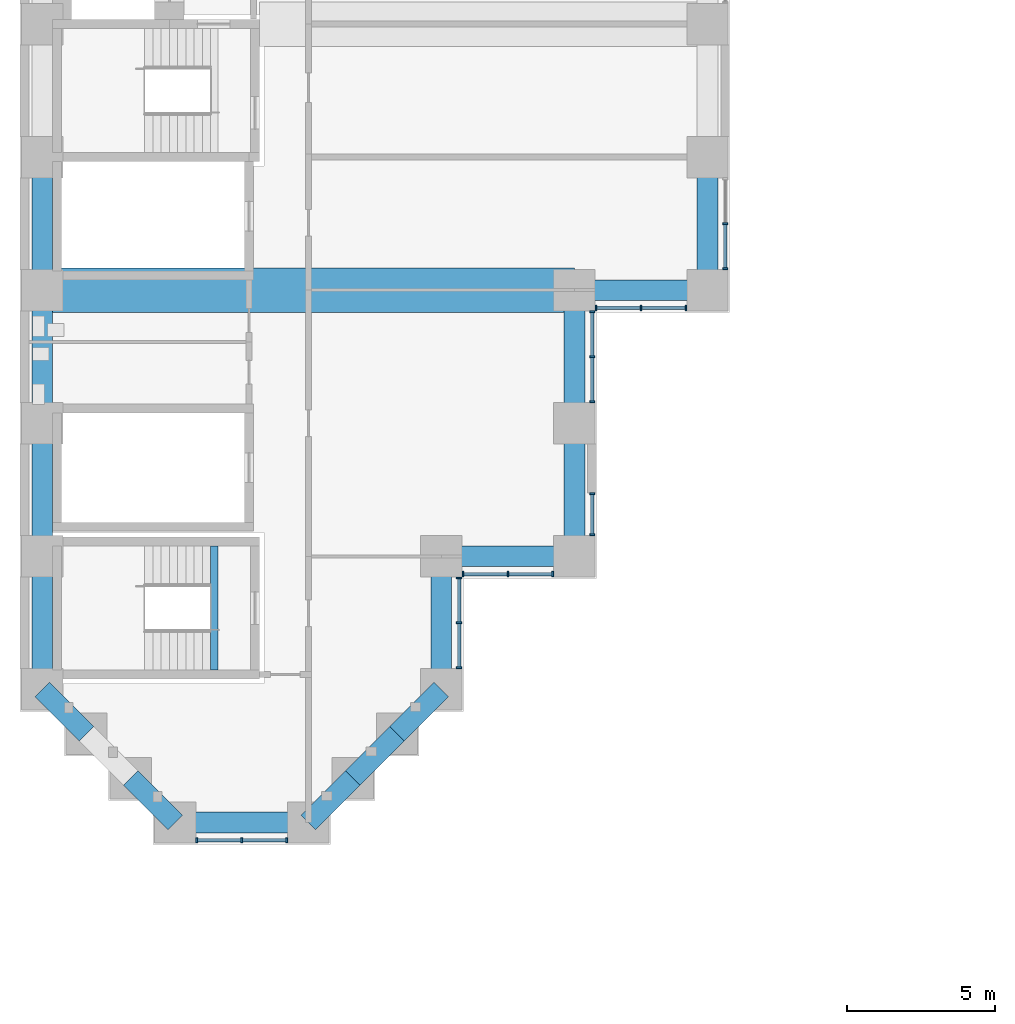
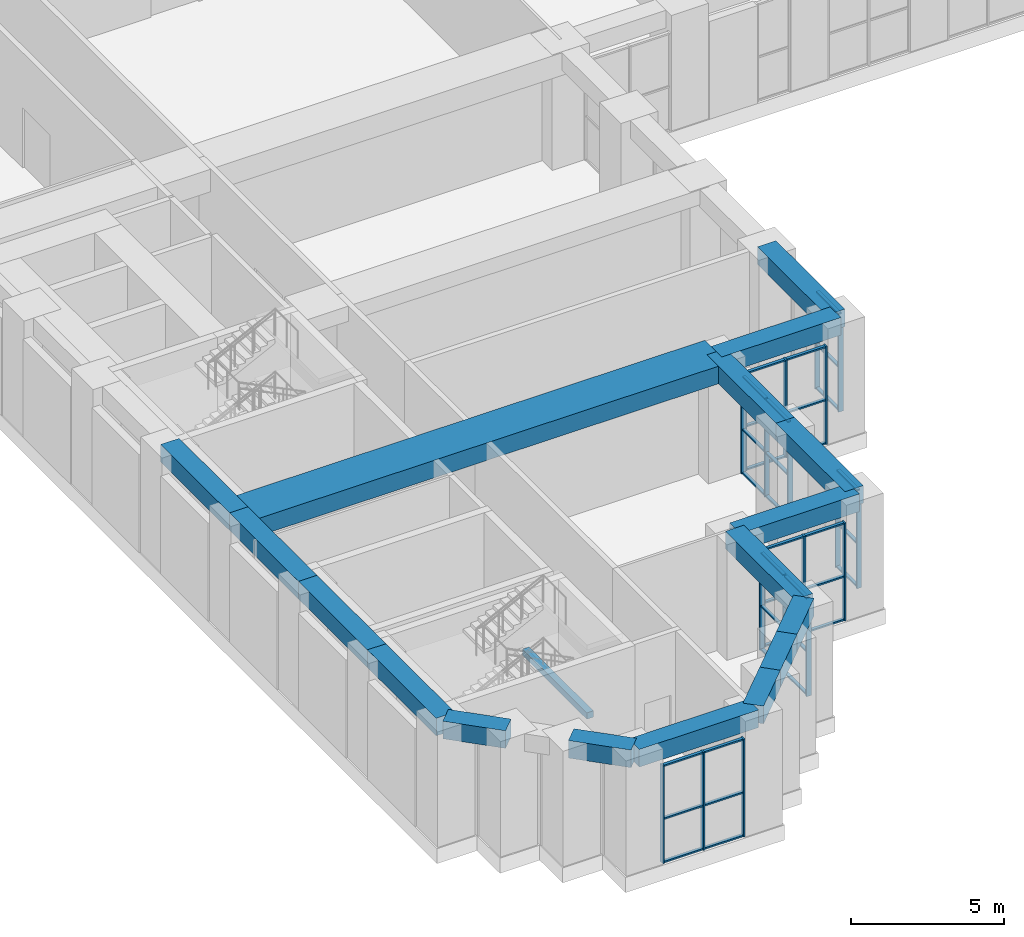
# One storey, part 2 of 30: 55 members, 18 beams, 7 elements without a shape of their own.
"""IFC4 building model written with IfcOpenShell, lengths in metres."""

from ifc_helpers import new_model, si_unit, direction, frame, origin, origin_2d, place, context, subcontext, project, spatial, rectangle, extrude, material, material_profile, profile_set, type_object, element, aggregate, save


model = new_model("IFC4")

# Units and contexts
model_context = context("Model", 3, precision=1e-05, world=origin(), true_north=direction((0.0, 1.0)))
body_context = subcontext(model_context, "Body", "Model", "MODEL_VIEW")
ifc_project = project(units=[si_unit("LENGTHUNIT", "METRE"), si_unit("AREAUNIT", "SQUARE_METRE"), si_unit("VOLUMEUNIT", "CUBIC_METRE"), si_unit("PLANEANGLEUNIT", "RADIAN"), si_unit("MASSUNIT", "GRAM", prefix="KILO")], contexts=[model_context])

# Site, building, storey
site_placement = place(None, origin())
site = spatial("IfcSite", under=ifc_project, at=site_placement, CompositionType="ELEMENT")
building_placement = place(site_placement, origin())
building = spatial("IfcBuilding", under=site, at=building_placement, Name="Firuza Court", CompositionType="ELEMENT")
storey_placement = place(building_placement, frame((0.0, 0.0, 9.0)))
storey = spatial("IfcBuildingStorey", under=building, at=storey_placement, Name="L01", CompositionType="ELEMENT", Elevation=9.0)

# Beams
ifc_material_1 = material(Name="Concrete C40/50", Category="concrete")
ifc_material_profile_1 = material_profile(ifc_material_1, rectangle(XDim=1.5, YDim=0.699951171875, at=origin_2d()), Name="RC 1500x700")
ifc_profile_set_1 = profile_set([ifc_material_profile_1], Name="Concrete C40/50")
beam_type_1 = type_object("IfcBeamType", Name="Band beam RC 1500x700 C40/50", PredefinedType="BEAM", material=ifc_profile_set_1)
beam_1_placement = place(storey_placement, frame((0.0, 18.0, 4.25), z_axis=(1.0, 0.0, 0.0), x_axis=(0.0, 1.0, 0.0)))
element("IfcBeam", 1, at=beam_1_placement, inside=storey, type_object=beam_type_1, Name="Band beam FB1 level L02", PredefinedType="BEAM", context=body_context, shape_type="SweptSolid", body=[
    extrude(rectangle(XDim=1.5, YDim=0.699951171875, at=origin_2d()), origin(), (0.0, 0.0, 1.0), 18.0),
])
ifc_material_2 = material(Name="Concrete C40/50", Category="concrete")
ifc_material_profile_2 = material_profile(ifc_material_2, rectangle(XDim=0.25, YDim=0.25, at=origin_2d()), Name="RC 250x250")
ifc_profile_set_2 = profile_set([ifc_material_profile_2], Name="Concrete C40/50")
beam_type_2 = type_object("IfcBeamType", Name="Landing beam RC 250x250 C40/50", PredefinedType="BEAM", material=ifc_profile_set_2)
beam_2_placement = place(storey_placement, frame((5.824951171875, 5.14990234375, 2.175048828125), z_axis=(0.0, 1.0, 0.0), x_axis=(-1.0, 0.0, 0.0)))
element("IfcBeam", 2, at=beam_2_placement, inside=storey, type_object=beam_type_2, Name="Landing beam S5 L01", PredefinedType="BEAM", context=body_context, shape_type="SweptSolid", body=[
    extrude(rectangle(XDim=0.25, YDim=0.25, at=origin_2d()), origin(), (0.0, 0.0, 1.0), 4.2001953125),
])

# Curtain wall, members
ifc_material_3 = material(Name="Aluminium curtain wall, triple clear glazing", Category="aluminium")
curtain_wall_type = type_object("IfcCurtainWallType", Name="Podium unitised curtain wall CW1", PredefinedType="NOTDEFINED", material=ifc_material_3)
curtain_wall_1_placement = place(storey_placement, origin())
curtain_wall_1 = element("IfcCurtainWall", 3, at=curtain_wall_1_placement, inside=storey, type_object=curtain_wall_type, Name="Podium unitised curtain wall CW1 L01", PredefinedType="NOTDEFINED")
ifc_material_4 = material(Name="Aluminium EN AW-6060 T66", Category="aluminium")
ifc_material_profile_3 = material_profile(ifc_material_4, rectangle(XDim=0.179931640625, YDim=0.06005859375, at=origin_2d()), Name="Mullion 180 x 60 CW1")
ifc_profile_set_3 = profile_set([ifc_material_profile_3], Name="Aluminium EN AW-6060 T66")
member_type_1 = type_object("IfcMemberType", Name="Mullion 180 x 60 CW1", PredefinedType="MULLION", material=ifc_profile_set_3)
member_1_placement = place(storey_placement, frame((14.10009765625, 5.22998046875, 0.0), z_axis=(0.0, 0.0, 1.0), x_axis=(-1.0, 0.0, 0.0)))
member_1 = element("IfcMember", 4, at=member_1_placement, type_object=member_type_1, Name="CW1 mullion 1", PredefinedType="MULLION", context=body_context, shape_type="SweptSolid", body=[
    extrude(rectangle(XDim=0.179931640625, YDim=0.06005859375, at=origin_2d()), origin(), (0.0, 0.0, 1.0), 3.89990234375),
])
member_2_placement = place(storey_placement, frame((14.10009765625, 6.75, 0.0), z_axis=(0.0, 0.0, 1.0), x_axis=(-1.0, 0.0, 0.0)))
member_2 = element("IfcMember", 5, at=member_2_placement, type_object=member_type_1, Name="CW1 mullion 2", PredefinedType="MULLION", context=body_context, shape_type="SweptSolid", body=[
    extrude(rectangle(XDim=0.179931640625, YDim=0.06005859375, at=origin_2d()), origin(), (0.0, 0.0, 1.0), 3.89990234375),
])
member_3_placement = place(storey_placement, frame((14.10009765625, 8.27001953125, 0.0), z_axis=(0.0, 0.0, 1.0), x_axis=(-1.0, 0.0, 0.0)))
member_3 = element("IfcMember", 6, at=member_3_placement, type_object=member_type_1, Name="CW1 mullion 3", PredefinedType="MULLION", context=body_context, shape_type="SweptSolid", body=[
    extrude(rectangle(XDim=0.179931640625, YDim=0.06005859375, at=origin_2d()), origin(), (0.0, 0.0, 1.0), 3.89990234375),
])

curtain_wall_2_placement = place(storey_placement, origin())
curtain_wall_2 = element("IfcCurtainWall", 7, at=curtain_wall_2_placement, inside=storey, type_object=curtain_wall_type, Name="Podium unitised curtain wall CW1 L01", PredefinedType="NOTDEFINED")
member_4_placement = place(storey_placement, frame((14.22998046875, 8.39990234375, 0.0), z_axis=(0.0, 0.0, 1.0), x_axis=(0.0, 1.0, 0.0)))
member_4 = element("IfcMember", 8, at=member_4_placement, type_object=member_type_1, Name="CW1 mullion 1", PredefinedType="MULLION", context=body_context, shape_type="SweptSolid", body=[
    extrude(rectangle(XDim=0.179931640625, YDim=0.06005859375, at=origin_2d()), origin(), (0.0, 0.0, 1.0), 3.89990234375),
])
member_5_placement = place(storey_placement, frame((15.75, 8.39990234375, 0.0), z_axis=(0.0, 0.0, 1.0), x_axis=(0.0, 1.0, 0.0)))
member_5 = element("IfcMember", 9, at=member_5_placement, type_object=member_type_1, Name="CW1 mullion 2", PredefinedType="MULLION", context=body_context, shape_type="SweptSolid", body=[
    extrude(rectangle(XDim=0.179931640625, YDim=0.06005859375, at=origin_2d()), origin(), (0.0, 0.0, 1.0), 3.89990234375),
])
member_6_placement = place(storey_placement, frame((17.27001953125, 8.39990234375, 0.0), z_axis=(0.0, 0.0, 1.0), x_axis=(0.0, 1.0, 0.0)))
member_6 = element("IfcMember", 10, at=member_6_placement, type_object=member_type_1, Name="CW1 mullion 3", PredefinedType="MULLION", context=body_context, shape_type="SweptSolid", body=[
    extrude(rectangle(XDim=0.179931640625, YDim=0.06005859375, at=origin_2d()), origin(), (0.0, 0.0, 1.0), 3.89990234375),
])

curtain_wall_3_placement = place(storey_placement, origin())
curtain_wall_3 = element("IfcCurtainWall", 11, at=curtain_wall_3_placement, inside=storey, type_object=curtain_wall_type, Name="Podium unitised curtain wall CW1 L01", PredefinedType="NOTDEFINED")
member_7_placement = place(storey_placement, frame((18.60009765625, 9.72998046875, 0.0), z_axis=(0.0, 0.0, 1.0), x_axis=(-1.0, 0.0, 0.0)))
member_7 = element("IfcMember", 12, at=member_7_placement, type_object=member_type_1, Name="CW1 mullion 1", PredefinedType="MULLION", context=body_context, shape_type="SweptSolid", body=[
    extrude(rectangle(XDim=0.179931640625, YDim=0.06005859375, at=origin_2d()), origin(), (0.0, 0.0, 1.0), 3.89990234375),
])
member_8_placement = place(storey_placement, frame((18.60009765625, 11.11767578125, 0.0), z_axis=(0.0, 0.0, 1.0), x_axis=(-1.0, 0.0, 0.0)))
member_8 = element("IfcMember", 13, at=member_8_placement, type_object=member_type_1, Name="CW1 mullion 2", PredefinedType="MULLION", context=body_context, shape_type="SweptSolid", body=[
    extrude(rectangle(XDim=0.179931640625, YDim=0.06005859375, at=origin_2d()), origin(), (0.0, 0.0, 1.0), 3.89990234375),
])

curtain_wall_4_placement = place(storey_placement, origin())
curtain_wall_4 = element("IfcCurtainWall", 14, at=curtain_wall_4_placement, inside=storey, type_object=curtain_wall_type, Name="Podium unitised curtain wall CW1 L01", PredefinedType="NOTDEFINED")
member_9_placement = place(storey_placement, frame((18.60009765625, 14.22998046875, 0.0), z_axis=(0.0, 0.0, 1.0), x_axis=(-1.0, 0.0, 0.0)))
member_9 = element("IfcMember", 15, at=member_9_placement, type_object=member_type_1, Name="CW1 mullion 1", PredefinedType="MULLION", context=body_context, shape_type="SweptSolid", body=[
    extrude(rectangle(XDim=0.179931640625, YDim=0.06005859375, at=origin_2d()), origin(), (0.0, 0.0, 1.0), 3.89990234375),
])
member_10_placement = place(storey_placement, frame((18.60009765625, 15.75, 0.0), z_axis=(0.0, 0.0, 1.0), x_axis=(-1.0, 0.0, 0.0)))
member_10 = element("IfcMember", 16, at=member_10_placement, type_object=member_type_1, Name="CW1 mullion 2", PredefinedType="MULLION", context=body_context, shape_type="SweptSolid", body=[
    extrude(rectangle(XDim=0.179931640625, YDim=0.06005859375, at=origin_2d()), origin(), (0.0, 0.0, 1.0), 3.89990234375),
])
member_11_placement = place(storey_placement, frame((18.60009765625, 17.27001953125, 0.0), z_axis=(0.0, 0.0, 1.0), x_axis=(-1.0, 0.0, 0.0)))
member_11 = element("IfcMember", 17, at=member_11_placement, type_object=member_type_1, Name="CW1 mullion 3", PredefinedType="MULLION", context=body_context, shape_type="SweptSolid", body=[
    extrude(rectangle(XDim=0.179931640625, YDim=0.06005859375, at=origin_2d()), origin(), (0.0, 0.0, 1.0), 3.89990234375),
])

curtain_wall_5_placement = place(storey_placement, origin())
curtain_wall_5 = element("IfcCurtainWall", 18, at=curtain_wall_5_placement, inside=storey, type_object=curtain_wall_type, Name="Podium unitised curtain wall CW1 L01", PredefinedType="NOTDEFINED")
member_12_placement = place(storey_placement, frame((18.72998046875, 17.39990234375, 0.0), z_axis=(0.0, 0.0, 1.0), x_axis=(0.0, 1.0, 0.0)))
member_12 = element("IfcMember", 19, at=member_12_placement, type_object=member_type_1, Name="CW1 mullion 1", PredefinedType="MULLION", context=body_context, shape_type="SweptSolid", body=[
    extrude(rectangle(XDim=0.179931640625, YDim=0.06005859375, at=origin_2d()), origin(), (0.0, 0.0, 1.0), 3.89990234375),
])
member_13_placement = place(storey_placement, frame((20.25, 17.39990234375, 0.0), z_axis=(0.0, 0.0, 1.0), x_axis=(0.0, 1.0, 0.0)))
member_13 = element("IfcMember", 20, at=member_13_placement, type_object=member_type_1, Name="CW1 mullion 2", PredefinedType="MULLION", context=body_context, shape_type="SweptSolid", body=[
    extrude(rectangle(XDim=0.179931640625, YDim=0.06005859375, at=origin_2d()), origin(), (0.0, 0.0, 1.0), 3.89990234375),
])
member_14_placement = place(storey_placement, frame((21.77001953125, 17.39990234375, 0.0), z_axis=(0.0, 0.0, 1.0), x_axis=(0.0, 1.0, 0.0)))
member_14 = element("IfcMember", 21, at=member_14_placement, type_object=member_type_1, Name="CW1 mullion 3", PredefinedType="MULLION", context=body_context, shape_type="SweptSolid", body=[
    extrude(rectangle(XDim=0.179931640625, YDim=0.06005859375, at=origin_2d()), origin(), (0.0, 0.0, 1.0), 3.89990234375),
])

curtain_wall_6_placement = place(storey_placement, origin())
curtain_wall_6 = element("IfcCurtainWall", 22, at=curtain_wall_6_placement, inside=storey, type_object=curtain_wall_type, Name="Podium unitised curtain wall CW1 L01", PredefinedType="NOTDEFINED")
member_15_placement = place(storey_placement, frame((23.10009765625, 18.72998046875, 0.0), z_axis=(0.0, 0.0, 1.0), x_axis=(-1.0, 0.0, 0.0)))
member_15 = element("IfcMember", 23, at=member_15_placement, type_object=member_type_1, Name="CW1 mullion 1", PredefinedType="MULLION", context=body_context, shape_type="SweptSolid", body=[
    extrude(rectangle(XDim=0.179931640625, YDim=0.06005859375, at=origin_2d()), origin(), (0.0, 0.0, 1.0), 3.89990234375),
])
member_16_placement = place(storey_placement, frame((23.10009765625, 20.25, 0.0), z_axis=(0.0, 0.0, 1.0), x_axis=(-1.0, 0.0, 0.0)))
member_16 = element("IfcMember", 24, at=member_16_placement, type_object=member_type_1, Name="CW1 mullion 2", PredefinedType="MULLION", context=body_context, shape_type="SweptSolid", body=[
    extrude(rectangle(XDim=0.179931640625, YDim=0.06005859375, at=origin_2d()), origin(), (0.0, 0.0, 1.0), 3.89990234375),
])

curtain_wall_7_placement = place(storey_placement, origin())
curtain_wall_7 = element("IfcCurtainWall", 25, at=curtain_wall_7_placement, inside=storey, type_object=curtain_wall_type, Name="Podium unitised curtain wall CW1 L01", PredefinedType="NOTDEFINED")
member_17_placement = place(storey_placement, frame((5.22998046875, -0.60009765625, 0.0), z_axis=(0.0, 0.0, 1.0), x_axis=(0.0, 1.0, 0.0)))
member_17 = element("IfcMember", 26, at=member_17_placement, type_object=member_type_1, Name="CW1 mullion 1", PredefinedType="MULLION", context=body_context, shape_type="SweptSolid", body=[
    extrude(rectangle(XDim=0.179931640625, YDim=0.06005859375, at=origin_2d()), origin(), (0.0, 0.0, 1.0), 3.89990234375),
])
member_18_placement = place(storey_placement, frame((6.75, -0.60009765625, 0.0), z_axis=(0.0, 0.0, 1.0), x_axis=(0.0, 1.0, 0.0)))
member_18 = element("IfcMember", 27, at=member_18_placement, type_object=member_type_1, Name="CW1 mullion 2", PredefinedType="MULLION", context=body_context, shape_type="SweptSolid", body=[
    extrude(rectangle(XDim=0.179931640625, YDim=0.06005859375, at=origin_2d()), origin(), (0.0, 0.0, 1.0), 3.89990234375),
])
member_19_placement = place(storey_placement, frame((8.27001953125, -0.60009765625, 0.0), z_axis=(0.0, 0.0, 1.0), x_axis=(0.0, 1.0, 0.0)))
member_19 = element("IfcMember", 28, at=member_19_placement, type_object=member_type_1, Name="CW1 mullion 3", PredefinedType="MULLION", context=body_context, shape_type="SweptSolid", body=[
    extrude(rectangle(XDim=0.179931640625, YDim=0.06005859375, at=origin_2d()), origin(), (0.0, 0.0, 1.0), 3.89990234375),
])

# Beams
ifc_material_5 = material(Name="Concrete C40/50", Category="concrete")
ifc_material_profile_4 = material_profile(ifc_material_5, rectangle(XDim=0.699951171875, YDim=0.699951171875, at=origin_2d()), Name="RC 700x700")
ifc_profile_set_4 = profile_set([ifc_material_profile_4], Name="Concrete C40/50")
beam_type_3 = type_object("IfcBeamType", Name="Spandrel beam RC 700x700 C40/50", PredefinedType="BEAM", material=ifc_profile_set_4)
beam_3_placement = place(storey_placement, frame((0.0, 4.5, 4.25), z_axis=(0.707106781187, -0.707106781187, 0.0), x_axis=(0.707106781187, 0.707106781187, 0.0)))
element("IfcBeam", 29, at=beam_3_placement, inside=storey, type_object=beam_type_3, Name="Spandrel beam SP8 level L02", PredefinedType="BEAM", context=body_context, shape_type="SweptSolid", body=[
    extrude(rectangle(XDim=0.699951171875, YDim=0.699951171875, at=origin_2d()), origin(), (0.0, 0.0, 1.0), 2.121337890625),
])
for number, where, z_axis, x_axis, name in (
    (30, (0.0, 9.0, 4.25), (0.0, -1.0, 0.0), (1.0, 0.0, 0.0), "Spandrel beam SP8 level L02"),
    (31, (0.0, 13.5, 4.25), (0.0, -1.0, 0.0), (1.0, 0.0, 0.0), "Spandrel beam SP8 level L02"),
    (32, (0.0, 18.0, 4.25), (0.0, -1.0, 0.0), (1.0, 0.0, 0.0), "Spandrel beam SP8 level L02"),
    (33, (0.0, 22.5, 4.25), (0.0, -1.0, 0.0), (1.0, 0.0, 0.0), "Spandrel beam SP8 level L02"),
):
    element("IfcBeam", number, at=place(storey_placement, frame(where, z_axis=z_axis, x_axis=x_axis)), inside=storey, type_object=beam_type_3, Name=name, PredefinedType="BEAM", context=body_context, shape_type="SweptSolid", body=[
        extrude(rectangle(XDim=0.699951171875, YDim=0.699951171875, at=origin_2d()), origin(), (0.0, 0.0, 1.0), 4.5),
    ])
beam_4_placement = place(storey_placement, frame((3.0, 1.5, 4.25), z_axis=(0.707106781187, -0.707106781187, 0.0), x_axis=(0.707106781187, 0.707106781187, 0.0)))
element("IfcBeam", 34, at=beam_4_placement, inside=storey, type_object=beam_type_3, Name="Spandrel beam SP8 level L02", PredefinedType="BEAM", context=body_context, shape_type="SweptSolid", body=[
    extrude(rectangle(XDim=0.699951171875, YDim=0.699951171875, at=origin_2d()), origin(), (0.0, 0.0, 1.0), 2.121337890625),
])
beam_5_placement = place(storey_placement, frame((4.5, 0.0, 4.25), z_axis=(1.0, 0.0, 0.0), x_axis=(0.0, 1.0, 0.0)))
element("IfcBeam", 35, at=beam_5_placement, inside=storey, type_object=beam_type_3, Name="Spandrel beam SP8 level L02", PredefinedType="BEAM", context=body_context, shape_type="SweptSolid", body=[
    extrude(rectangle(XDim=0.699951171875, YDim=0.699951171875, at=origin_2d()), origin(), (0.0, 0.0, 1.0), 4.5),
])
for number, where, z_axis, x_axis, name in (
    (36, (9.0, 0.0, 4.25), (0.707106781187, 0.707106781187, 0.0), (-0.707106781187, 0.707106781187, 0.0), "Spandrel beam SP8 level L02"),
    (37, (10.5, 1.5, 4.25), (0.707106781187, 0.707106781187, 0.0), (-0.707106781187, 0.707106781187, 0.0), "Spandrel beam SP8 level L02"),
    (38, (12.0, 3.0, 4.25), (0.707106781187, 0.707106781187, 0.0), (-0.707106781187, 0.707106781187, 0.0), "Spandrel beam SP8 level L02"),
):
    element("IfcBeam", number, at=place(storey_placement, frame(where, z_axis=z_axis, x_axis=x_axis)), inside=storey, type_object=beam_type_3, Name=name, PredefinedType="BEAM", context=body_context, shape_type="SweptSolid", body=[
        extrude(rectangle(XDim=0.699951171875, YDim=0.699951171875, at=origin_2d()), origin(), (0.0, 0.0, 1.0), 2.121337890625),
    ])
for number, where, z_axis, x_axis, name in (
    (39, (13.5, 4.5, 4.25), (0.0, 1.0, 0.0), (-1.0, 0.0, 0.0), "Spandrel beam SP8 level L02"),
    (40, (13.5, 9.0, 4.25), (1.0, 0.0, 0.0), (0.0, 1.0, 0.0), "Spandrel beam SP8 level L02"),
    (41, (18.0, 9.0, 4.25), (0.0, 1.0, 0.0), (-1.0, 0.0, 0.0), "Spandrel beam SP8 level L02"),
    (42, (18.0, 13.5, 4.25), (0.0, 1.0, 0.0), (-1.0, 0.0, 0.0), "Spandrel beam SP8 level L02"),
    (43, (18.0, 18.0, 4.25), (1.0, 0.0, 0.0), (0.0, 1.0, 0.0), "Spandrel beam SP8 level L02"),
    (44, (22.5, 18.0, 4.25), (0.0, 1.0, 0.0), (-1.0, 0.0, 0.0), "Spandrel beam SP8 level L02"),
):
    element("IfcBeam", number, at=place(storey_placement, frame(where, z_axis=z_axis, x_axis=x_axis)), inside=storey, type_object=beam_type_3, Name=name, PredefinedType="BEAM", context=body_context, shape_type="SweptSolid", body=[
        extrude(rectangle(XDim=0.699951171875, YDim=0.699951171875, at=origin_2d()), origin(), (0.0, 0.0, 1.0), 4.5),
    ])

# Member
ifc_material_6 = material(Name="Aluminium EN AW-6060 T66", Category="aluminium")
ifc_material_profile_5 = material_profile(ifc_material_6, rectangle(XDim=0.1201171875, YDim=0.06005859375, at=origin_2d()), Name="Transom 120 x 60 CW1")
ifc_profile_set_5 = profile_set([ifc_material_profile_5], Name="Aluminium EN AW-6060 T66")
member_type_2 = type_object("IfcMemberType", Name="Transom 120 x 60 CW1", PredefinedType="USERDEFINED", material=ifc_profile_set_5)
member_20_placement = place(storey_placement, frame((14.10009765625, 5.260009765625, 0.030029296875), z_axis=(0.0, 1.0, 0.0), x_axis=(-1.0, 0.0, 0.0)))
member_20 = element("IfcMember", 45, at=member_20_placement, type_object=member_type_2, Name="CW1 transom 1.1", ObjectType="TRANSOM", PredefinedType="USERDEFINED", context=body_context, shape_type="SweptSolid", body=[
    extrude(rectangle(XDim=0.1201171875, YDim=0.06005859375, at=origin_2d()), origin(), (0.0, 0.0, 1.0), 1.4599609375),
])

member_21_placement = place(storey_placement, frame((14.10009765625, 5.260009765625, 1.7548828125), z_axis=(0.0, 1.0, 0.0), x_axis=(-1.0, 0.0, 0.0)))
member_21 = element("IfcMember", 46, at=member_21_placement, type_object=member_type_2, Name="CW1 transom 1.2", ObjectType="TRANSOM", PredefinedType="USERDEFINED", context=body_context, shape_type="SweptSolid", body=[
    extrude(rectangle(XDim=0.1201171875, YDim=0.06005859375, at=origin_2d()), origin(), (0.0, 0.0, 1.0), 1.4599609375),
])

member_22_placement = place(storey_placement, frame((14.10009765625, 5.260009765625, 3.8701171875), z_axis=(0.0, 1.0, 0.0), x_axis=(-1.0, 0.0, 0.0)))
member_22 = element("IfcMember", 47, at=member_22_placement, type_object=member_type_2, Name="CW1 transom 1.3", ObjectType="TRANSOM", PredefinedType="USERDEFINED", context=body_context, shape_type="SweptSolid", body=[
    extrude(rectangle(XDim=0.1201171875, YDim=0.06005859375, at=origin_2d()), origin(), (0.0, 0.0, 1.0), 1.4599609375),
])

member_23_placement = place(storey_placement, frame((14.10009765625, 6.780029296875, 0.030029296875), z_axis=(0.0, 1.0, 0.0), x_axis=(-1.0, 0.0, 0.0)))
member_23 = element("IfcMember", 48, at=member_23_placement, type_object=member_type_2, Name="CW1 transom 2.1", ObjectType="TRANSOM", PredefinedType="USERDEFINED", context=body_context, shape_type="SweptSolid", body=[
    extrude(rectangle(XDim=0.1201171875, YDim=0.06005859375, at=origin_2d()), origin(), (0.0, 0.0, 1.0), 1.4599609375),
])

member_24_placement = place(storey_placement, frame((14.10009765625, 6.780029296875, 1.7548828125), z_axis=(0.0, 1.0, 0.0), x_axis=(-1.0, 0.0, 0.0)))
member_24 = element("IfcMember", 49, at=member_24_placement, type_object=member_type_2, Name="CW1 transom 2.2", ObjectType="TRANSOM", PredefinedType="USERDEFINED", context=body_context, shape_type="SweptSolid", body=[
    extrude(rectangle(XDim=0.1201171875, YDim=0.06005859375, at=origin_2d()), origin(), (0.0, 0.0, 1.0), 1.4599609375),
])

member_25_placement = place(storey_placement, frame((14.10009765625, 6.780029296875, 3.8701171875), z_axis=(0.0, 1.0, 0.0), x_axis=(-1.0, 0.0, 0.0)))
member_25 = element("IfcMember", 50, at=member_25_placement, type_object=member_type_2, Name="CW1 transom 2.3", ObjectType="TRANSOM", PredefinedType="USERDEFINED", context=body_context, shape_type="SweptSolid", body=[
    extrude(rectangle(XDim=0.1201171875, YDim=0.06005859375, at=origin_2d()), origin(), (0.0, 0.0, 1.0), 1.4599609375),
])

aggregate(curtain_wall_1, [member_1, member_2, member_3, member_20, member_21, member_22, member_23, member_24, member_25])

member_26_placement = place(storey_placement, frame((14.260009765625, 8.39990234375, 0.030029296875), z_axis=(1.0, 0.0, 0.0), x_axis=(0.0, 1.0, 0.0)))
member_26 = element("IfcMember", 51, at=member_26_placement, type_object=member_type_2, Name="CW1 transom 1.1", ObjectType="TRANSOM", PredefinedType="USERDEFINED", context=body_context, shape_type="SweptSolid", body=[
    extrude(rectangle(XDim=0.1201171875, YDim=0.06005859375, at=origin_2d()), origin(), (0.0, 0.0, 1.0), 1.4599609375),
])

member_27_placement = place(storey_placement, frame((14.260009765625, 8.39990234375, 1.7548828125), z_axis=(1.0, 0.0, 0.0), x_axis=(0.0, 1.0, 0.0)))
member_27 = element("IfcMember", 52, at=member_27_placement, type_object=member_type_2, Name="CW1 transom 1.2", ObjectType="TRANSOM", PredefinedType="USERDEFINED", context=body_context, shape_type="SweptSolid", body=[
    extrude(rectangle(XDim=0.1201171875, YDim=0.06005859375, at=origin_2d()), origin(), (0.0, 0.0, 1.0), 1.4599609375),
])

member_28_placement = place(storey_placement, frame((14.260009765625, 8.39990234375, 3.8701171875), z_axis=(1.0, 0.0, 0.0), x_axis=(0.0, 1.0, 0.0)))
member_28 = element("IfcMember", 53, at=member_28_placement, type_object=member_type_2, Name="CW1 transom 1.3", ObjectType="TRANSOM", PredefinedType="USERDEFINED", context=body_context, shape_type="SweptSolid", body=[
    extrude(rectangle(XDim=0.1201171875, YDim=0.06005859375, at=origin_2d()), origin(), (0.0, 0.0, 1.0), 1.4599609375),
])

member_29_placement = place(storey_placement, frame((15.780029296875, 8.39990234375, 0.030029296875), z_axis=(1.0, 0.0, 0.0), x_axis=(0.0, 1.0, 0.0)))
member_29 = element("IfcMember", 54, at=member_29_placement, type_object=member_type_2, Name="CW1 transom 2.1", ObjectType="TRANSOM", PredefinedType="USERDEFINED", context=body_context, shape_type="SweptSolid", body=[
    extrude(rectangle(XDim=0.1201171875, YDim=0.06005859375, at=origin_2d()), origin(), (0.0, 0.0, 1.0), 1.4599609375),
])

member_30_placement = place(storey_placement, frame((15.780029296875, 8.39990234375, 1.7548828125), z_axis=(1.0, 0.0, 0.0), x_axis=(0.0, 1.0, 0.0)))
member_30 = element("IfcMember", 55, at=member_30_placement, type_object=member_type_2, Name="CW1 transom 2.2", ObjectType="TRANSOM", PredefinedType="USERDEFINED", context=body_context, shape_type="SweptSolid", body=[
    extrude(rectangle(XDim=0.1201171875, YDim=0.06005859375, at=origin_2d()), origin(), (0.0, 0.0, 1.0), 1.4599609375),
])

member_31_placement = place(storey_placement, frame((15.780029296875, 8.39990234375, 3.8701171875), z_axis=(1.0, 0.0, 0.0), x_axis=(0.0, 1.0, 0.0)))
member_31 = element("IfcMember", 56, at=member_31_placement, type_object=member_type_2, Name="CW1 transom 2.3", ObjectType="TRANSOM", PredefinedType="USERDEFINED", context=body_context, shape_type="SweptSolid", body=[
    extrude(rectangle(XDim=0.1201171875, YDim=0.06005859375, at=origin_2d()), origin(), (0.0, 0.0, 1.0), 1.4599609375),
])

aggregate(curtain_wall_2, [member_4, member_5, member_6, member_26, member_27, member_28, member_29, member_30, member_31])

member_32_placement = place(storey_placement, frame((18.60009765625, 9.760009765625, 0.030029296875), z_axis=(0.0, 1.0, 0.0), x_axis=(-1.0, 0.0, 0.0)))
member_32 = element("IfcMember", 57, at=member_32_placement, type_object=member_type_2, Name="CW1 transom 1.1", ObjectType="TRANSOM", PredefinedType="USERDEFINED", context=body_context, shape_type="SweptSolid", body=[
    extrude(rectangle(XDim=0.1201171875, YDim=0.06005859375, at=origin_2d()), origin(), (0.0, 0.0, 1.0), 1.32763671875),
])

member_33_placement = place(storey_placement, frame((18.60009765625, 9.760009765625, 1.7548828125), z_axis=(0.0, 1.0, 0.0), x_axis=(-1.0, 0.0, 0.0)))
member_33 = element("IfcMember", 58, at=member_33_placement, type_object=member_type_2, Name="CW1 transom 1.2", ObjectType="TRANSOM", PredefinedType="USERDEFINED", context=body_context, shape_type="SweptSolid", body=[
    extrude(rectangle(XDim=0.1201171875, YDim=0.06005859375, at=origin_2d()), origin(), (0.0, 0.0, 1.0), 1.32763671875),
])

member_34_placement = place(storey_placement, frame((18.60009765625, 9.760009765625, 3.8701171875), z_axis=(0.0, 1.0, 0.0), x_axis=(-1.0, 0.0, 0.0)))
member_34 = element("IfcMember", 59, at=member_34_placement, type_object=member_type_2, Name="CW1 transom 1.3", ObjectType="TRANSOM", PredefinedType="USERDEFINED", context=body_context, shape_type="SweptSolid", body=[
    extrude(rectangle(XDim=0.1201171875, YDim=0.06005859375, at=origin_2d()), origin(), (0.0, 0.0, 1.0), 1.32763671875),
])

aggregate(curtain_wall_3, [member_7, member_8, member_32, member_33, member_34])

member_35_placement = place(storey_placement, frame((18.60009765625, 14.260009765625, 0.030029296875), z_axis=(0.0, 1.0, 0.0), x_axis=(-1.0, 0.0, 0.0)))
member_35 = element("IfcMember", 60, at=member_35_placement, type_object=member_type_2, Name="CW1 transom 1.1", ObjectType="TRANSOM", PredefinedType="USERDEFINED", context=body_context, shape_type="SweptSolid", body=[
    extrude(rectangle(XDim=0.1201171875, YDim=0.06005859375, at=origin_2d()), origin(), (0.0, 0.0, 1.0), 1.4599609375),
])

member_36_placement = place(storey_placement, frame((18.60009765625, 14.260009765625, 1.7548828125), z_axis=(0.0, 1.0, 0.0), x_axis=(-1.0, 0.0, 0.0)))
member_36 = element("IfcMember", 61, at=member_36_placement, type_object=member_type_2, Name="CW1 transom 1.2", ObjectType="TRANSOM", PredefinedType="USERDEFINED", context=body_context, shape_type="SweptSolid", body=[
    extrude(rectangle(XDim=0.1201171875, YDim=0.06005859375, at=origin_2d()), origin(), (0.0, 0.0, 1.0), 1.4599609375),
])

member_37_placement = place(storey_placement, frame((18.60009765625, 14.260009765625, 3.8701171875), z_axis=(0.0, 1.0, 0.0), x_axis=(-1.0, 0.0, 0.0)))
member_37 = element("IfcMember", 62, at=member_37_placement, type_object=member_type_2, Name="CW1 transom 1.3", ObjectType="TRANSOM", PredefinedType="USERDEFINED", context=body_context, shape_type="SweptSolid", body=[
    extrude(rectangle(XDim=0.1201171875, YDim=0.06005859375, at=origin_2d()), origin(), (0.0, 0.0, 1.0), 1.4599609375),
])

member_38_placement = place(storey_placement, frame((18.60009765625, 15.780029296875, 0.030029296875), z_axis=(0.0, 1.0, 0.0), x_axis=(-1.0, 0.0, 0.0)))
member_38 = element("IfcMember", 63, at=member_38_placement, type_object=member_type_2, Name="CW1 transom 2.1", ObjectType="TRANSOM", PredefinedType="USERDEFINED", context=body_context, shape_type="SweptSolid", body=[
    extrude(rectangle(XDim=0.1201171875, YDim=0.06005859375, at=origin_2d()), origin(), (0.0, 0.0, 1.0), 1.4599609375),
])

member_39_placement = place(storey_placement, frame((18.60009765625, 15.780029296875, 1.7548828125), z_axis=(0.0, 1.0, 0.0), x_axis=(-1.0, 0.0, 0.0)))
member_39 = element("IfcMember", 64, at=member_39_placement, type_object=member_type_2, Name="CW1 transom 2.2", ObjectType="TRANSOM", PredefinedType="USERDEFINED", context=body_context, shape_type="SweptSolid", body=[
    extrude(rectangle(XDim=0.1201171875, YDim=0.06005859375, at=origin_2d()), origin(), (0.0, 0.0, 1.0), 1.4599609375),
])

member_40_placement = place(storey_placement, frame((18.60009765625, 15.780029296875, 3.8701171875), z_axis=(0.0, 1.0, 0.0), x_axis=(-1.0, 0.0, 0.0)))
member_40 = element("IfcMember", 65, at=member_40_placement, type_object=member_type_2, Name="CW1 transom 2.3", ObjectType="TRANSOM", PredefinedType="USERDEFINED", context=body_context, shape_type="SweptSolid", body=[
    extrude(rectangle(XDim=0.1201171875, YDim=0.06005859375, at=origin_2d()), origin(), (0.0, 0.0, 1.0), 1.4599609375),
])

aggregate(curtain_wall_4, [member_9, member_10, member_11, member_35, member_36, member_37, member_38, member_39, member_40])

member_41_placement = place(storey_placement, frame((18.760009765625, 17.39990234375, 0.030029296875), z_axis=(1.0, 0.0, 0.0), x_axis=(0.0, 1.0, 0.0)))
member_41 = element("IfcMember", 66, at=member_41_placement, type_object=member_type_2, Name="CW1 transom 1.1", ObjectType="TRANSOM", PredefinedType="USERDEFINED", context=body_context, shape_type="SweptSolid", body=[
    extrude(rectangle(XDim=0.1201171875, YDim=0.06005859375, at=origin_2d()), origin(), (0.0, 0.0, 1.0), 1.4599609375),
])

member_42_placement = place(storey_placement, frame((18.760009765625, 17.39990234375, 1.7548828125), z_axis=(1.0, 0.0, 0.0), x_axis=(0.0, 1.0, 0.0)))
member_42 = element("IfcMember", 67, at=member_42_placement, type_object=member_type_2, Name="CW1 transom 1.2", ObjectType="TRANSOM", PredefinedType="USERDEFINED", context=body_context, shape_type="SweptSolid", body=[
    extrude(rectangle(XDim=0.1201171875, YDim=0.06005859375, at=origin_2d()), origin(), (0.0, 0.0, 1.0), 1.4599609375),
])

member_43_placement = place(storey_placement, frame((18.760009765625, 17.39990234375, 3.8701171875), z_axis=(1.0, 0.0, 0.0), x_axis=(0.0, 1.0, 0.0)))
member_43 = element("IfcMember", 68, at=member_43_placement, type_object=member_type_2, Name="CW1 transom 1.3", ObjectType="TRANSOM", PredefinedType="USERDEFINED", context=body_context, shape_type="SweptSolid", body=[
    extrude(rectangle(XDim=0.1201171875, YDim=0.06005859375, at=origin_2d()), origin(), (0.0, 0.0, 1.0), 1.4599609375),
])

member_44_placement = place(storey_placement, frame((20.280029296875, 17.39990234375, 0.030029296875), z_axis=(1.0, 0.0, 0.0), x_axis=(0.0, 1.0, 0.0)))
member_44 = element("IfcMember", 69, at=member_44_placement, type_object=member_type_2, Name="CW1 transom 2.1", ObjectType="TRANSOM", PredefinedType="USERDEFINED", context=body_context, shape_type="SweptSolid", body=[
    extrude(rectangle(XDim=0.1201171875, YDim=0.06005859375, at=origin_2d()), origin(), (0.0, 0.0, 1.0), 1.4599609375),
])

member_45_placement = place(storey_placement, frame((20.280029296875, 17.39990234375, 1.7548828125), z_axis=(1.0, 0.0, 0.0), x_axis=(0.0, 1.0, 0.0)))
member_45 = element("IfcMember", 70, at=member_45_placement, type_object=member_type_2, Name="CW1 transom 2.2", ObjectType="TRANSOM", PredefinedType="USERDEFINED", context=body_context, shape_type="SweptSolid", body=[
    extrude(rectangle(XDim=0.1201171875, YDim=0.06005859375, at=origin_2d()), origin(), (0.0, 0.0, 1.0), 1.4599609375),
])

member_46_placement = place(storey_placement, frame((20.280029296875, 17.39990234375, 3.8701171875), z_axis=(1.0, 0.0, 0.0), x_axis=(0.0, 1.0, 0.0)))
member_46 = element("IfcMember", 71, at=member_46_placement, type_object=member_type_2, Name="CW1 transom 2.3", ObjectType="TRANSOM", PredefinedType="USERDEFINED", context=body_context, shape_type="SweptSolid", body=[
    extrude(rectangle(XDim=0.1201171875, YDim=0.06005859375, at=origin_2d()), origin(), (0.0, 0.0, 1.0), 1.4599609375),
])

aggregate(curtain_wall_5, [member_12, member_13, member_14, member_41, member_42, member_43, member_44, member_45, member_46])

member_47_placement = place(storey_placement, frame((23.10009765625, 18.760009765625, 0.030029296875), z_axis=(0.0, 1.0, 0.0), x_axis=(-1.0, 0.0, 0.0)))
member_47 = element("IfcMember", 72, at=member_47_placement, type_object=member_type_2, Name="CW1 transom 1.1", ObjectType="TRANSOM", PredefinedType="USERDEFINED", context=body_context, shape_type="SweptSolid", body=[
    extrude(rectangle(XDim=0.1201171875, YDim=0.06005859375, at=origin_2d()), origin(), (0.0, 0.0, 1.0), 1.4599609375),
])

member_48_placement = place(storey_placement, frame((23.10009765625, 18.760009765625, 1.7548828125), z_axis=(0.0, 1.0, 0.0), x_axis=(-1.0, 0.0, 0.0)))
member_48 = element("IfcMember", 73, at=member_48_placement, type_object=member_type_2, Name="CW1 transom 1.2", ObjectType="TRANSOM", PredefinedType="USERDEFINED", context=body_context, shape_type="SweptSolid", body=[
    extrude(rectangle(XDim=0.1201171875, YDim=0.06005859375, at=origin_2d()), origin(), (0.0, 0.0, 1.0), 1.4599609375),
])

member_49_placement = place(storey_placement, frame((23.10009765625, 18.760009765625, 3.8701171875), z_axis=(0.0, 1.0, 0.0), x_axis=(-1.0, 0.0, 0.0)))
member_49 = element("IfcMember", 74, at=member_49_placement, type_object=member_type_2, Name="CW1 transom 1.3", ObjectType="TRANSOM", PredefinedType="USERDEFINED", context=body_context, shape_type="SweptSolid", body=[
    extrude(rectangle(XDim=0.1201171875, YDim=0.06005859375, at=origin_2d()), origin(), (0.0, 0.0, 1.0), 1.4599609375),
])

aggregate(curtain_wall_6, [member_15, member_16, member_47, member_48, member_49])

member_50_placement = place(storey_placement, frame((5.260009765625, -0.60009765625, 0.030029296875), z_axis=(1.0, 0.0, 0.0), x_axis=(0.0, 1.0, 0.0)))
member_50 = element("IfcMember", 75, at=member_50_placement, type_object=member_type_2, Name="CW1 transom 1.1", ObjectType="TRANSOM", PredefinedType="USERDEFINED", context=body_context, shape_type="SweptSolid", body=[
    extrude(rectangle(XDim=0.1201171875, YDim=0.06005859375, at=origin_2d()), origin(), (0.0, 0.0, 1.0), 1.4599609375),
])

member_51_placement = place(storey_placement, frame((5.260009765625, -0.60009765625, 1.7548828125), z_axis=(1.0, 0.0, 0.0), x_axis=(0.0, 1.0, 0.0)))
member_51 = element("IfcMember", 76, at=member_51_placement, type_object=member_type_2, Name="CW1 transom 1.2", ObjectType="TRANSOM", PredefinedType="USERDEFINED", context=body_context, shape_type="SweptSolid", body=[
    extrude(rectangle(XDim=0.1201171875, YDim=0.06005859375, at=origin_2d()), origin(), (0.0, 0.0, 1.0), 1.4599609375),
])

member_52_placement = place(storey_placement, frame((5.260009765625, -0.60009765625, 3.8701171875), z_axis=(1.0, 0.0, 0.0), x_axis=(0.0, 1.0, 0.0)))
member_52 = element("IfcMember", 77, at=member_52_placement, type_object=member_type_2, Name="CW1 transom 1.3", ObjectType="TRANSOM", PredefinedType="USERDEFINED", context=body_context, shape_type="SweptSolid", body=[
    extrude(rectangle(XDim=0.1201171875, YDim=0.06005859375, at=origin_2d()), origin(), (0.0, 0.0, 1.0), 1.4599609375),
])

member_53_placement = place(storey_placement, frame((6.780029296875, -0.60009765625, 0.030029296875), z_axis=(1.0, 0.0, 0.0), x_axis=(0.0, 1.0, 0.0)))
member_53 = element("IfcMember", 78, at=member_53_placement, type_object=member_type_2, Name="CW1 transom 2.1", ObjectType="TRANSOM", PredefinedType="USERDEFINED", context=body_context, shape_type="SweptSolid", body=[
    extrude(rectangle(XDim=0.1201171875, YDim=0.06005859375, at=origin_2d()), origin(), (0.0, 0.0, 1.0), 1.4599609375),
])

member_54_placement = place(storey_placement, frame((6.780029296875, -0.60009765625, 1.7548828125), z_axis=(1.0, 0.0, 0.0), x_axis=(0.0, 1.0, 0.0)))
member_54 = element("IfcMember", 79, at=member_54_placement, type_object=member_type_2, Name="CW1 transom 2.2", ObjectType="TRANSOM", PredefinedType="USERDEFINED", context=body_context, shape_type="SweptSolid", body=[
    extrude(rectangle(XDim=0.1201171875, YDim=0.06005859375, at=origin_2d()), origin(), (0.0, 0.0, 1.0), 1.4599609375),
])

member_55_placement = place(storey_placement, frame((6.780029296875, -0.60009765625, 3.8701171875), z_axis=(1.0, 0.0, 0.0), x_axis=(0.0, 1.0, 0.0)))
member_55 = element("IfcMember", 80, at=member_55_placement, type_object=member_type_2, Name="CW1 transom 2.3", ObjectType="TRANSOM", PredefinedType="USERDEFINED", context=body_context, shape_type="SweptSolid", body=[
    extrude(rectangle(XDim=0.1201171875, YDim=0.06005859375, at=origin_2d()), origin(), (0.0, 0.0, 1.0), 1.4599609375),
])

aggregate(curtain_wall_7, [member_17, member_18, member_19, member_50, member_51, member_52, member_53, member_54, member_55])

save(model, "model.ifc")
